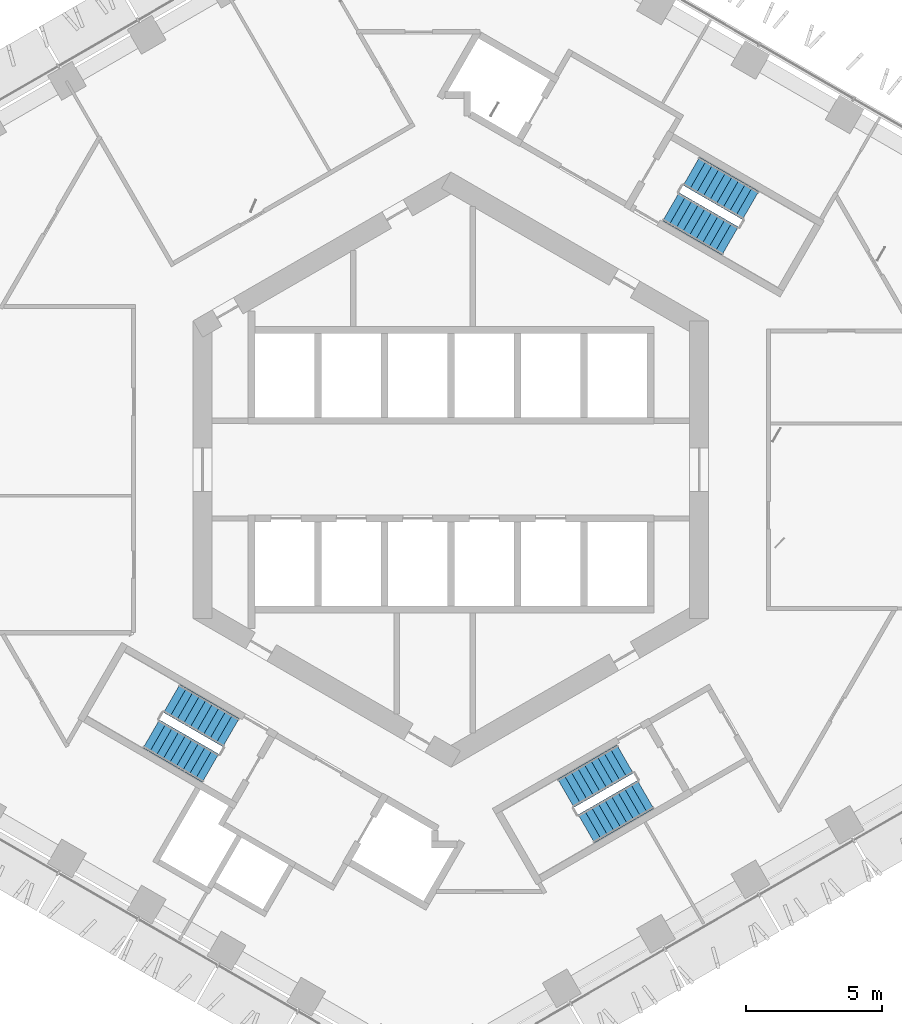
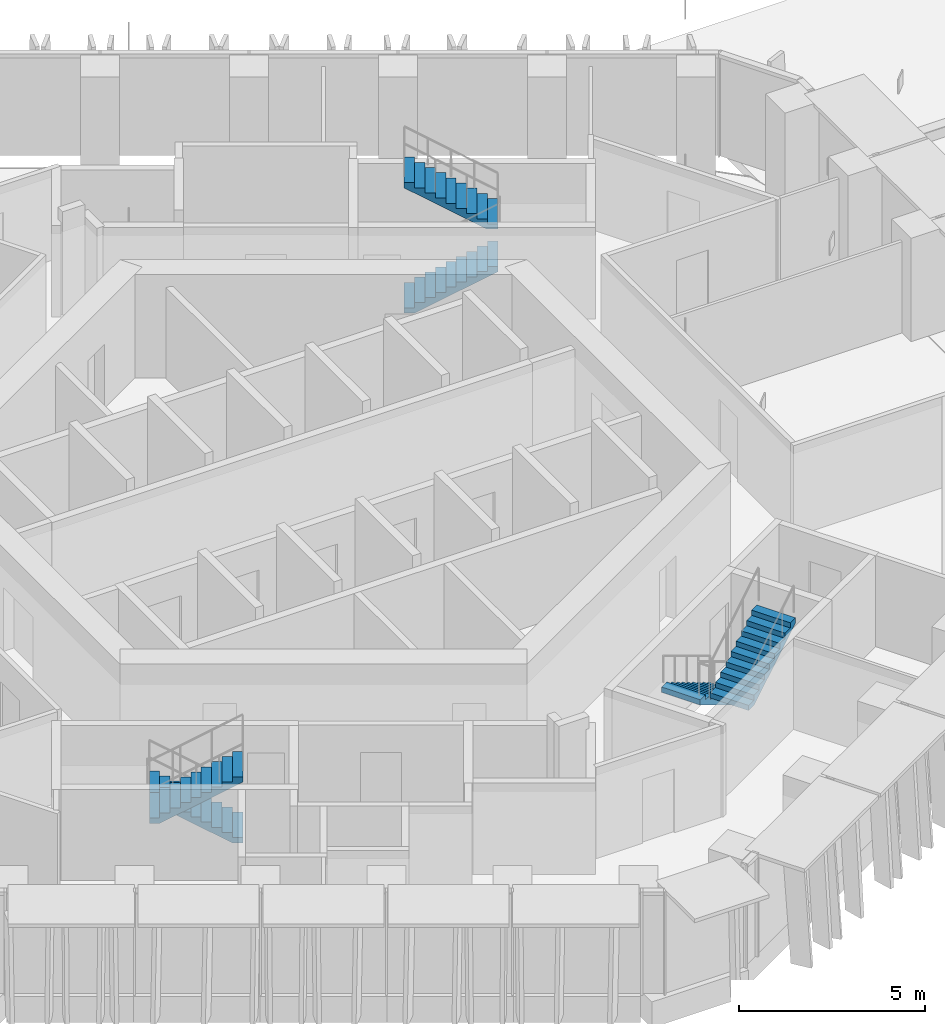
# One storey, part 21 of 25: 6 stair flights, 3 elements without a shape of their own.
"""IFC4 building model written with IfcOpenShell, lengths in metres."""

from ifc_helpers import new_model, si_unit, direction, frame, origin, place, context, subcontext, project, spatial, triangles, material, type_object, element, aggregate, save


model = new_model("IFC4")

# Units and contexts
model_context = context("Model", 3, precision=1e-05, world=origin(), true_north=direction((0.0, 1.0)))
body_context = subcontext(model_context, "Body", "Model", "MODEL_VIEW")
ifc_project = project(units=[si_unit("LENGTHUNIT", "METRE"), si_unit("AREAUNIT", "SQUARE_METRE"), si_unit("VOLUMEUNIT", "CUBIC_METRE"), si_unit("PLANEANGLEUNIT", "RADIAN"), si_unit("MASSUNIT", "GRAM", prefix="KILO")], contexts=[model_context])

# Site, building, storey
site_placement = place(None, origin())
site = spatial("IfcSite", under=ifc_project, at=site_placement, CompositionType="ELEMENT")
building_placement = place(site_placement, origin())
building = spatial("IfcBuilding", under=site, at=building_placement, Name="Ayvan Gate Tower", CompositionType="ELEMENT")
storey_placement = place(building_placement, frame((0.0, 0.0, 132.5)))
storey = spatial("IfcBuildingStorey", under=building, at=storey_placement, Name="L35", CompositionType="ELEMENT", Elevation=132.5)

# Stair, stair flights
ifc_material = material(Name="Concrete C40/50", Category="concrete")
stair_type = type_object("IfcStairType", Name="ST-EXIT", PredefinedType="HALF_TURN_STAIR", material=ifc_material)
stair_1_placement = place(storey_placement, origin())
stair_1 = element("IfcStair", 1, at=stair_1_placement, inside=storey, type_object=stair_type, Name="L35 Exit Stair S1", PredefinedType="HALF_TURN_STAIR")
stair_flight_type = type_object("IfcStairFlightType", Name="SFL-EXIT", PredefinedType="STRAIGHT", material=ifc_material)
stair_flight_1_placement = place(storey_placement, frame((8.106201171875, 9.690185546875, 0.0), z_axis=(0.0, 0.0, 1.0), x_axis=(0.866025403784, -0.5, 0.0)))
stair_flight_1 = element("IfcStairFlight", 2, at=stair_flight_1_placement, type_object=stair_flight_type, Name="STS1 flight 1", NumberOfRisers=10, NumberOfTreads=9, PredefinedType="STRAIGHT", RiserHeight=0.17, TreadLength=0.28, context=body_context, shape_type="Tessellation", body=[
    triangles([(0.288841, -0.599976, 0.0), (2.5205, -0.599976, 1.354936), (2.5205, -0.599976, 1.53), (2.24, -0.599976, 1.53), (2.24, -0.599976, 1.36), (1.96, -0.599976, 1.36), (1.96, -0.599976, 1.19), (1.68, -0.599976, 1.19), (1.68, -0.599976, 1.02), (1.4, -0.599976, 1.02), (1.4, -0.599976, 0.85), (1.12, -0.599976, 0.85), (1.12, -0.599976, 0.68), (0.84, -0.599976, 0.68), (0.84, -0.599976, 0.51), (0.56, -0.599976, 0.51), (0.56, -0.599976, 0.34), (0.28, -0.599976, 0.34), (0.28, -0.599976, 0.17), (-0.0005, -0.599976, 0.17), (-0.0005, -0.599976, 0.0), (0.288841, 0.0, 0.0), (2.5205, 0.0, 1.354936), (2.5205, 0.0, 1.53), (2.24, 0.0, 1.53), (2.24, 0.0, 1.36), (1.96, 0.0, 1.36), (1.96, 0.0, 1.19), (1.68, 0.0, 1.19), (1.68, 0.0, 1.02), (1.4, 0.0, 1.02), (1.4, 0.0, 0.85), (1.12, 0.0, 0.85), (1.12, 0.0, 0.68), (0.84, 0.0, 0.68), (0.84, 0.0, 0.51), (0.56, 0.0, 0.51), (0.56, 0.0, 0.34), (0.28, 0.0, 0.34), (0.28, 0.0, 0.17), (-0.0005, 0.0, 0.17), (-0.0005, 0.0, 0.0), (0.288841, 0.599976, 0.0), (2.5205, 0.599976, 1.354936), (2.5205, 0.599976, 1.53), (2.24, 0.599976, 1.53), (2.24, 0.599976, 1.36), (1.96, 0.599976, 1.36), (1.96, 0.599976, 1.19), (1.68, 0.599976, 1.19), (1.68, 0.599976, 1.02), (1.4, 0.599976, 1.02), (1.4, 0.599976, 0.85), (1.12, 0.599976, 0.85), (1.12, 0.599976, 0.68), (0.84, 0.599976, 0.68), (0.84, 0.599976, 0.51), (0.56, 0.599976, 0.51), (0.56, 0.599976, 0.34), (0.28, 0.599976, 0.34), (0.28, 0.599976, 0.17), (-0.0005, 0.599976, 0.17), (-0.0005, 0.599976, 0.0)], [[21, 1, 2], [63, 44, 43], [2, 3, 4], [44, 46, 45], [2, 4, 5], [44, 47, 46], [2, 5, 6], [44, 48, 47], [2, 6, 7], [44, 49, 48], [7, 8, 9], [49, 51, 50], [2, 7, 9], [44, 51, 49], [9, 10, 11], [51, 53, 52], [2, 9, 11], [44, 53, 51], [11, 12, 13], [53, 55, 54], [2, 11, 13], [44, 55, 53], [13, 14, 15], [55, 57, 56], [2, 13, 15], [44, 57, 55], [15, 16, 17], [57, 59, 58], [2, 15, 17], [44, 59, 57], [17, 18, 19], [59, 61, 60], [2, 17, 19], [44, 61, 59], [21, 2, 19], [63, 61, 44], [19, 20, 21], [61, 63, 62], [1, 22, 23], [1, 23, 2], [43, 23, 22], [43, 44, 23], [2, 23, 24], [2, 24, 3], [44, 24, 23], [44, 45, 24], [3, 24, 25], [3, 25, 4], [45, 25, 24], [45, 46, 25], [4, 25, 26], [4, 26, 5], [46, 26, 25], [46, 47, 26], [5, 26, 27], [5, 27, 6], [47, 27, 26], [47, 48, 27], [6, 27, 28], [6, 28, 7], [48, 28, 27], [48, 49, 28], [7, 28, 29], [7, 29, 8], [49, 29, 28], [49, 50, 29], [8, 29, 30], [8, 30, 9], [50, 30, 29], [50, 51, 30], [9, 30, 31], [9, 31, 10], [51, 31, 30], [51, 52, 31], [10, 31, 32], [10, 32, 11], [52, 32, 31], [52, 53, 32], [11, 32, 33], [11, 33, 12], [53, 33, 32], [53, 54, 33], [12, 33, 34], [12, 34, 13], [54, 34, 33], [54, 55, 34], [13, 34, 35], [13, 35, 14], [55, 35, 34], [55, 56, 35], [14, 35, 36], [14, 36, 15], [56, 36, 35], [56, 57, 36], [15, 36, 37], [15, 37, 16], [57, 37, 36], [57, 58, 37], [16, 37, 38], [16, 38, 17], [58, 38, 37], [58, 59, 38], [17, 38, 39], [17, 39, 18], [59, 39, 38], [59, 60, 39], [18, 39, 40], [18, 40, 19], [60, 40, 39], [60, 61, 40], [19, 40, 41], [19, 41, 20], [61, 41, 40], [61, 62, 41], [20, 41, 42], [20, 42, 21], [62, 42, 41], [62, 63, 42], [21, 42, 22], [21, 22, 1], [63, 22, 42], [63, 43, 22]], closed=True),
])
stair_flight_2_placement = place(storey_placement, frame((11.04345703125, 9.73779296875, 1.699951171875), z_axis=(0.0, 0.0, 1.0), x_axis=(-0.866025403784, 0.5, 0.0)))
stair_flight_2 = element("IfcStairFlight", 3, at=stair_flight_2_placement, type_object=stair_flight_type, Name="STS1 flight 2", NumberOfRisers=10, NumberOfTreads=9, PredefinedType="STRAIGHT", RiserHeight=0.17, TreadLength=0.28, context=body_context, shape_type="Tessellation", body=[
    triangles([(0.288841, -0.599976, 0.0), (2.5205, -0.599976, 1.354936), (2.5205, -0.599976, 1.53), (2.24, -0.599976, 1.53), (2.24, -0.599976, 1.36), (1.96, -0.599976, 1.36), (1.96, -0.599976, 1.19), (1.68, -0.599976, 1.19), (1.68, -0.599976, 1.02), (1.4, -0.599976, 1.02), (1.4, -0.599976, 0.85), (1.12, -0.599976, 0.85), (1.12, -0.599976, 0.68), (0.84, -0.599976, 0.68), (0.84, -0.599976, 0.51), (0.56, -0.599976, 0.51), (0.56, -0.599976, 0.34), (0.28, -0.599976, 0.34), (0.28, -0.599976, 0.17), (-0.0005, -0.599976, 0.17), (-0.0005, -0.599976, 0.0), (0.288841, 0.0, 0.0), (2.5205, 0.0, 1.354936), (2.5205, 0.0, 1.53), (2.24, 0.0, 1.53), (2.24, 0.0, 1.36), (1.96, 0.0, 1.36), (1.96, 0.0, 1.19), (1.68, 0.0, 1.19), (1.68, 0.0, 1.02), (1.4, 0.0, 1.02), (1.4, 0.0, 0.85), (1.12, 0.0, 0.85), (1.12, 0.0, 0.68), (0.84, 0.0, 0.68), (0.84, 0.0, 0.51), (0.56, 0.0, 0.51), (0.56, 0.0, 0.34), (0.28, 0.0, 0.34), (0.28, 0.0, 0.17), (-0.0005, 0.0, 0.17), (-0.0005, 0.0, 0.0), (0.288841, 0.599976, 0.0), (2.5205, 0.599976, 1.354936), (2.5205, 0.599976, 1.53), (2.24, 0.599976, 1.53), (2.24, 0.599976, 1.36), (1.96, 0.599976, 1.36), (1.96, 0.599976, 1.19), (1.68, 0.599976, 1.19), (1.68, 0.599976, 1.02), (1.4, 0.599976, 1.02), (1.4, 0.599976, 0.85), (1.12, 0.599976, 0.85), (1.12, 0.599976, 0.68), (0.84, 0.599976, 0.68), (0.84, 0.599976, 0.51), (0.56, 0.599976, 0.51), (0.56, 0.599976, 0.34), (0.28, 0.599976, 0.34), (0.28, 0.599976, 0.17), (-0.0005, 0.599976, 0.17), (-0.0005, 0.599976, 0.0)], [[21, 1, 2], [63, 44, 43], [2, 3, 4], [44, 46, 45], [2, 4, 5], [44, 47, 46], [2, 5, 6], [44, 48, 47], [2, 6, 7], [44, 49, 48], [7, 8, 9], [49, 51, 50], [2, 7, 9], [44, 51, 49], [9, 10, 11], [51, 53, 52], [2, 9, 11], [44, 53, 51], [11, 12, 13], [53, 55, 54], [2, 11, 13], [44, 55, 53], [13, 14, 15], [55, 57, 56], [2, 13, 15], [44, 57, 55], [15, 16, 17], [57, 59, 58], [2, 15, 17], [44, 59, 57], [17, 18, 19], [59, 61, 60], [2, 17, 19], [44, 61, 59], [21, 2, 19], [63, 61, 44], [19, 20, 21], [61, 63, 62], [1, 22, 23], [1, 23, 2], [43, 23, 22], [43, 44, 23], [2, 23, 24], [2, 24, 3], [44, 24, 23], [44, 45, 24], [3, 24, 25], [3, 25, 4], [45, 25, 24], [45, 46, 25], [4, 25, 26], [4, 26, 5], [46, 26, 25], [46, 47, 26], [5, 26, 27], [5, 27, 6], [47, 27, 26], [47, 48, 27], [6, 27, 28], [6, 28, 7], [48, 28, 27], [48, 49, 28], [7, 28, 29], [7, 29, 8], [49, 29, 28], [49, 50, 29], [8, 29, 30], [8, 30, 9], [50, 30, 29], [50, 51, 30], [9, 30, 31], [9, 31, 10], [51, 31, 30], [51, 52, 31], [10, 31, 32], [10, 32, 11], [52, 32, 31], [52, 53, 32], [11, 32, 33], [11, 33, 12], [53, 33, 32], [53, 54, 33], [12, 33, 34], [12, 34, 13], [54, 34, 33], [54, 55, 34], [13, 34, 35], [13, 35, 14], [55, 35, 34], [55, 56, 35], [14, 35, 36], [14, 36, 15], [56, 36, 35], [56, 57, 36], [15, 36, 37], [15, 37, 16], [57, 37, 36], [57, 58, 37], [16, 37, 38], [16, 38, 17], [58, 38, 37], [58, 59, 38], [17, 38, 39], [17, 39, 18], [59, 39, 38], [59, 60, 39], [18, 39, 40], [18, 40, 19], [60, 40, 39], [60, 61, 40], [19, 40, 41], [19, 41, 20], [61, 41, 40], [61, 62, 41], [20, 41, 42], [20, 42, 21], [62, 42, 41], [62, 63, 42], [21, 42, 22], [21, 22, 1], [63, 22, 42], [63, 43, 22]], closed=True),
])
aggregate(stair_1, [stair_flight_1, stair_flight_2])

stair_2_placement = place(storey_placement, origin())
stair_2 = element("IfcStair", 4, at=stair_2_placement, inside=storey, type_object=stair_type, Name="L35 Exit Stair S2", PredefinedType="HALF_TURN_STAIR")
stair_flight_3_placement = place(storey_placement, frame((-8.106201171875, -9.690185546875, 0.0), z_axis=(0.0, 0.0, 1.0), x_axis=(-0.866025403784, 0.5, 0.0)))
stair_flight_3 = element("IfcStairFlight", 5, at=stair_flight_3_placement, type_object=stair_flight_type, Name="STS2 flight 1", NumberOfRisers=10, NumberOfTreads=9, PredefinedType="STRAIGHT", RiserHeight=0.17, TreadLength=0.28, context=body_context, shape_type="Tessellation", body=[
    triangles([(0.288841, -0.599976, 0.0), (2.5205, -0.599976, 1.354936), (2.5205, -0.599976, 1.53), (2.24, -0.599976, 1.53), (2.24, -0.599976, 1.36), (1.96, -0.599976, 1.36), (1.96, -0.599976, 1.19), (1.68, -0.599976, 1.19), (1.68, -0.599976, 1.02), (1.4, -0.599976, 1.02), (1.4, -0.599976, 0.85), (1.12, -0.599976, 0.85), (1.12, -0.599976, 0.68), (0.84, -0.599976, 0.68), (0.84, -0.599976, 0.51), (0.56, -0.599976, 0.51), (0.56, -0.599976, 0.34), (0.28, -0.599976, 0.34), (0.28, -0.599976, 0.17), (-0.0005, -0.599976, 0.17), (-0.0005, -0.599976, 0.0), (0.288841, 0.0, 0.0), (2.5205, 0.0, 1.354936), (2.5205, 0.0, 1.53), (2.24, 0.0, 1.53), (2.24, 0.0, 1.36), (1.96, 0.0, 1.36), (1.96, 0.0, 1.19), (1.68, 0.0, 1.19), (1.68, 0.0, 1.02), (1.4, 0.0, 1.02), (1.4, 0.0, 0.85), (1.12, 0.0, 0.85), (1.12, 0.0, 0.68), (0.84, 0.0, 0.68), (0.84, 0.0, 0.51), (0.56, 0.0, 0.51), (0.56, 0.0, 0.34), (0.28, 0.0, 0.34), (0.28, 0.0, 0.17), (-0.0005, 0.0, 0.17), (-0.0005, 0.0, 0.0), (0.288841, 0.599976, 0.0), (2.5205, 0.599976, 1.354936), (2.5205, 0.599976, 1.53), (2.24, 0.599976, 1.53), (2.24, 0.599976, 1.36), (1.96, 0.599976, 1.36), (1.96, 0.599976, 1.19), (1.68, 0.599976, 1.19), (1.68, 0.599976, 1.02), (1.4, 0.599976, 1.02), (1.4, 0.599976, 0.85), (1.12, 0.599976, 0.85), (1.12, 0.599976, 0.68), (0.84, 0.599976, 0.68), (0.84, 0.599976, 0.51), (0.56, 0.599976, 0.51), (0.56, 0.599976, 0.34), (0.28, 0.599976, 0.34), (0.28, 0.599976, 0.17), (-0.0005, 0.599976, 0.17), (-0.0005, 0.599976, 0.0)], [[21, 1, 2], [63, 44, 43], [2, 3, 4], [44, 46, 45], [2, 4, 5], [44, 47, 46], [2, 5, 6], [44, 48, 47], [2, 6, 7], [44, 49, 48], [7, 8, 9], [49, 51, 50], [2, 7, 9], [44, 51, 49], [9, 10, 11], [51, 53, 52], [2, 9, 11], [44, 53, 51], [11, 12, 13], [53, 55, 54], [2, 11, 13], [44, 55, 53], [13, 14, 15], [55, 57, 56], [2, 13, 15], [44, 57, 55], [15, 16, 17], [57, 59, 58], [2, 15, 17], [44, 59, 57], [17, 18, 19], [59, 61, 60], [2, 17, 19], [44, 61, 59], [21, 2, 19], [63, 61, 44], [19, 20, 21], [61, 63, 62], [1, 22, 23], [1, 23, 2], [43, 23, 22], [43, 44, 23], [2, 23, 24], [2, 24, 3], [44, 24, 23], [44, 45, 24], [3, 24, 25], [3, 25, 4], [45, 25, 24], [45, 46, 25], [4, 25, 26], [4, 26, 5], [46, 26, 25], [46, 47, 26], [5, 26, 27], [5, 27, 6], [47, 27, 26], [47, 48, 27], [6, 27, 28], [6, 28, 7], [48, 28, 27], [48, 49, 28], [7, 28, 29], [7, 29, 8], [49, 29, 28], [49, 50, 29], [8, 29, 30], [8, 30, 9], [50, 30, 29], [50, 51, 30], [9, 30, 31], [9, 31, 10], [51, 31, 30], [51, 52, 31], [10, 31, 32], [10, 32, 11], [52, 32, 31], [52, 53, 32], [11, 32, 33], [11, 33, 12], [53, 33, 32], [53, 54, 33], [12, 33, 34], [12, 34, 13], [54, 34, 33], [54, 55, 34], [13, 34, 35], [13, 35, 14], [55, 35, 34], [55, 56, 35], [14, 35, 36], [14, 36, 15], [56, 36, 35], [56, 57, 36], [15, 36, 37], [15, 37, 16], [57, 37, 36], [57, 58, 37], [16, 37, 38], [16, 38, 17], [58, 38, 37], [58, 59, 38], [17, 38, 39], [17, 39, 18], [59, 39, 38], [59, 60, 39], [18, 39, 40], [18, 40, 19], [60, 40, 39], [60, 61, 40], [19, 40, 41], [19, 41, 20], [61, 41, 40], [61, 62, 41], [20, 41, 42], [20, 42, 21], [62, 42, 41], [62, 63, 42], [21, 42, 22], [21, 22, 1], [63, 22, 42], [63, 43, 22]], closed=True),
])
stair_flight_4_placement = place(storey_placement, frame((-11.04345703125, -9.73779296875, 1.699951171875), z_axis=(0.0, 0.0, 1.0), x_axis=(0.866025403784, -0.5, 0.0)))
stair_flight_4 = element("IfcStairFlight", 6, at=stair_flight_4_placement, type_object=stair_flight_type, Name="STS2 flight 2", NumberOfRisers=10, NumberOfTreads=9, PredefinedType="STRAIGHT", RiserHeight=0.17, TreadLength=0.28, context=body_context, shape_type="Tessellation", body=[
    triangles([(0.288841, -0.599976, 0.0), (2.5205, -0.599976, 1.354936), (2.5205, -0.599976, 1.53), (2.24, -0.599976, 1.53), (2.24, -0.599976, 1.36), (1.96, -0.599976, 1.36), (1.96, -0.599976, 1.19), (1.68, -0.599976, 1.19), (1.68, -0.599976, 1.02), (1.4, -0.599976, 1.02), (1.4, -0.599976, 0.85), (1.12, -0.599976, 0.85), (1.12, -0.599976, 0.68), (0.84, -0.599976, 0.68), (0.84, -0.599976, 0.51), (0.56, -0.599976, 0.51), (0.56, -0.599976, 0.34), (0.28, -0.599976, 0.34), (0.28, -0.599976, 0.17), (-0.0005, -0.599976, 0.17), (-0.0005, -0.599976, 0.0), (0.288841, 0.0, 0.0), (2.5205, 0.0, 1.354936), (2.5205, 0.0, 1.53), (2.24, 0.0, 1.53), (2.24, 0.0, 1.36), (1.96, 0.0, 1.36), (1.96, 0.0, 1.19), (1.68, 0.0, 1.19), (1.68, 0.0, 1.02), (1.4, 0.0, 1.02), (1.4, 0.0, 0.85), (1.12, 0.0, 0.85), (1.12, 0.0, 0.68), (0.84, 0.0, 0.68), (0.84, 0.0, 0.51), (0.56, 0.0, 0.51), (0.56, 0.0, 0.34), (0.28, 0.0, 0.34), (0.28, 0.0, 0.17), (-0.0005, 0.0, 0.17), (-0.0005, 0.0, 0.0), (0.288841, 0.599976, 0.0), (2.5205, 0.599976, 1.354936), (2.5205, 0.599976, 1.53), (2.24, 0.599976, 1.53), (2.24, 0.599976, 1.36), (1.96, 0.599976, 1.36), (1.96, 0.599976, 1.19), (1.68, 0.599976, 1.19), (1.68, 0.599976, 1.02), (1.4, 0.599976, 1.02), (1.4, 0.599976, 0.85), (1.12, 0.599976, 0.85), (1.12, 0.599976, 0.68), (0.84, 0.599976, 0.68), (0.84, 0.599976, 0.51), (0.56, 0.599976, 0.51), (0.56, 0.599976, 0.34), (0.28, 0.599976, 0.34), (0.28, 0.599976, 0.17), (-0.0005, 0.599976, 0.17), (-0.0005, 0.599976, 0.0)], [[21, 1, 2], [63, 44, 43], [2, 3, 4], [44, 46, 45], [2, 4, 5], [44, 47, 46], [2, 5, 6], [44, 48, 47], [2, 6, 7], [44, 49, 48], [7, 8, 9], [49, 51, 50], [2, 7, 9], [44, 51, 49], [9, 10, 11], [51, 53, 52], [2, 9, 11], [44, 53, 51], [11, 12, 13], [53, 55, 54], [2, 11, 13], [44, 55, 53], [13, 14, 15], [55, 57, 56], [2, 13, 15], [44, 57, 55], [15, 16, 17], [57, 59, 58], [2, 15, 17], [44, 59, 57], [17, 18, 19], [59, 61, 60], [2, 17, 19], [44, 61, 59], [21, 2, 19], [63, 61, 44], [19, 20, 21], [61, 63, 62], [1, 22, 23], [1, 23, 2], [43, 23, 22], [43, 44, 23], [2, 23, 24], [2, 24, 3], [44, 24, 23], [44, 45, 24], [3, 24, 25], [3, 25, 4], [45, 25, 24], [45, 46, 25], [4, 25, 26], [4, 26, 5], [46, 26, 25], [46, 47, 26], [5, 26, 27], [5, 27, 6], [47, 27, 26], [47, 48, 27], [6, 27, 28], [6, 28, 7], [48, 28, 27], [48, 49, 28], [7, 28, 29], [7, 29, 8], [49, 29, 28], [49, 50, 29], [8, 29, 30], [8, 30, 9], [50, 30, 29], [50, 51, 30], [9, 30, 31], [9, 31, 10], [51, 31, 30], [51, 52, 31], [10, 31, 32], [10, 32, 11], [52, 32, 31], [52, 53, 32], [11, 32, 33], [11, 33, 12], [53, 33, 32], [53, 54, 33], [12, 33, 34], [12, 34, 13], [54, 34, 33], [54, 55, 34], [13, 34, 35], [13, 35, 14], [55, 35, 34], [55, 56, 35], [14, 35, 36], [14, 36, 15], [56, 36, 35], [56, 57, 36], [15, 36, 37], [15, 37, 16], [57, 37, 36], [57, 58, 37], [16, 37, 38], [16, 38, 17], [58, 38, 37], [58, 59, 38], [17, 38, 39], [17, 39, 18], [59, 39, 38], [59, 60, 39], [18, 39, 40], [18, 40, 19], [60, 40, 39], [60, 61, 40], [19, 40, 41], [19, 41, 20], [61, 41, 40], [61, 62, 41], [20, 41, 42], [20, 42, 21], [62, 42, 41], [62, 63, 42], [21, 42, 22], [21, 22, 1], [63, 22, 42], [63, 43, 22]], closed=True),
])
aggregate(stair_2, [stair_flight_3, stair_flight_4])

stair_3_placement = place(storey_placement, origin())
stair_3 = element("IfcStair", 7, at=stair_3_placement, inside=storey, type_object=stair_type, Name="L35 Exit Stair S3", PredefinedType="HALF_TURN_STAIR")
stair_flight_5_placement = place(storey_placement, frame((6.417236328125, -10.665283203125, 0.0), z_axis=(0.0, 0.0, 1.0), x_axis=(-0.866025403784, -0.5, 0.0)))
stair_flight_5 = element("IfcStairFlight", 8, at=stair_flight_5_placement, type_object=stair_flight_type, Name="STS3 flight 1", NumberOfRisers=10, NumberOfTreads=9, PredefinedType="STRAIGHT", RiserHeight=0.17, TreadLength=0.28, context=body_context, shape_type="Tessellation", body=[
    triangles([(0.288841, -0.599976, 0.0), (2.5205, -0.599976, 1.354936), (2.5205, -0.599976, 1.53), (2.24, -0.599976, 1.53), (2.24, -0.599976, 1.36), (1.96, -0.599976, 1.36), (1.96, -0.599976, 1.19), (1.68, -0.599976, 1.19), (1.68, -0.599976, 1.02), (1.4, -0.599976, 1.02), (1.4, -0.599976, 0.85), (1.12, -0.599976, 0.85), (1.12, -0.599976, 0.68), (0.84, -0.599976, 0.68), (0.84, -0.599976, 0.51), (0.56, -0.599976, 0.51), (0.56, -0.599976, 0.34), (0.28, -0.599976, 0.34), (0.28, -0.599976, 0.17), (-0.0005, -0.599976, 0.17), (-0.0005, -0.599976, 0.0), (0.288841, 0.0, 0.0), (2.5205, 0.0, 1.354936), (2.5205, 0.0, 1.53), (2.24, 0.0, 1.53), (2.24, 0.0, 1.36), (1.96, 0.0, 1.36), (1.96, 0.0, 1.19), (1.68, 0.0, 1.19), (1.68, 0.0, 1.02), (1.4, 0.0, 1.02), (1.4, 0.0, 0.85), (1.12, 0.0, 0.85), (1.12, 0.0, 0.68), (0.84, 0.0, 0.68), (0.84, 0.0, 0.51), (0.56, 0.0, 0.51), (0.56, 0.0, 0.34), (0.28, 0.0, 0.34), (0.28, 0.0, 0.17), (-0.0005, 0.0, 0.17), (-0.0005, 0.0, 0.0), (0.288841, 0.599976, 0.0), (2.5205, 0.599976, 1.354936), (2.5205, 0.599976, 1.53), (2.24, 0.599976, 1.53), (2.24, 0.599976, 1.36), (1.96, 0.599976, 1.36), (1.96, 0.599976, 1.19), (1.68, 0.599976, 1.19), (1.68, 0.599976, 1.02), (1.4, 0.599976, 1.02), (1.4, 0.599976, 0.85), (1.12, 0.599976, 0.85), (1.12, 0.599976, 0.68), (0.84, 0.599976, 0.68), (0.84, 0.599976, 0.51), (0.56, 0.599976, 0.51), (0.56, 0.599976, 0.34), (0.28, 0.599976, 0.34), (0.28, 0.599976, 0.17), (-0.0005, 0.599976, 0.17), (-0.0005, 0.599976, 0.0)], [[21, 1, 2], [63, 44, 43], [2, 3, 4], [44, 46, 45], [2, 4, 5], [44, 47, 46], [2, 5, 6], [44, 48, 47], [2, 6, 7], [44, 49, 48], [7, 8, 9], [49, 51, 50], [2, 7, 9], [44, 51, 49], [9, 10, 11], [51, 53, 52], [2, 9, 11], [44, 53, 51], [11, 12, 13], [53, 55, 54], [2, 11, 13], [44, 55, 53], [13, 14, 15], [55, 57, 56], [2, 13, 15], [44, 57, 55], [15, 16, 17], [57, 59, 58], [2, 15, 17], [44, 59, 57], [17, 18, 19], [59, 61, 60], [2, 17, 19], [44, 61, 59], [21, 2, 19], [63, 61, 44], [19, 20, 21], [61, 63, 62], [1, 22, 23], [1, 23, 2], [43, 23, 22], [43, 44, 23], [2, 23, 24], [2, 24, 3], [44, 24, 23], [44, 45, 24], [3, 24, 25], [3, 25, 4], [45, 25, 24], [45, 46, 25], [4, 25, 26], [4, 26, 5], [46, 26, 25], [46, 47, 26], [5, 26, 27], [5, 27, 6], [47, 27, 26], [47, 48, 27], [6, 27, 28], [6, 28, 7], [48, 28, 27], [48, 49, 28], [7, 28, 29], [7, 29, 8], [49, 29, 28], [49, 50, 29], [8, 29, 30], [8, 30, 9], [50, 30, 29], [50, 51, 30], [9, 30, 31], [9, 31, 10], [51, 31, 30], [51, 52, 31], [10, 31, 32], [10, 32, 11], [52, 32, 31], [52, 53, 32], [11, 32, 33], [11, 33, 12], [53, 33, 32], [53, 54, 33], [12, 33, 34], [12, 34, 13], [54, 34, 33], [54, 55, 34], [13, 34, 35], [13, 35, 14], [55, 35, 34], [55, 56, 35], [14, 35, 36], [14, 36, 15], [56, 36, 35], [56, 57, 36], [15, 36, 37], [15, 37, 16], [57, 37, 36], [57, 58, 37], [16, 37, 38], [16, 38, 17], [58, 38, 37], [58, 59, 38], [17, 38, 39], [17, 39, 18], [59, 39, 38], [59, 60, 39], [18, 39, 40], [18, 40, 19], [60, 40, 39], [60, 61, 40], [19, 40, 41], [19, 41, 20], [61, 41, 40], [61, 62, 41], [20, 41, 42], [20, 42, 21], [62, 42, 41], [62, 63, 42], [21, 42, 22], [21, 22, 1], [63, 22, 42], [63, 43, 22]], closed=True),
])
stair_flight_6_placement = place(storey_placement, frame((4.989990234375, -13.23291015625, 1.699951171875), z_axis=(0.0, 0.0, 1.0), x_axis=(0.866025403784, 0.5, 0.0)))
stair_flight_6 = element("IfcStairFlight", 9, at=stair_flight_6_placement, type_object=stair_flight_type, Name="STS3 flight 2", NumberOfRisers=10, NumberOfTreads=9, PredefinedType="STRAIGHT", RiserHeight=0.17, TreadLength=0.28, context=body_context, shape_type="Tessellation", body=[
    triangles([(0.288841, -0.599976, 0.0), (2.5205, -0.599976, 1.354936), (2.5205, -0.599976, 1.53), (2.24, -0.599976, 1.53), (2.24, -0.599976, 1.36), (1.96, -0.599976, 1.36), (1.96, -0.599976, 1.19), (1.68, -0.599976, 1.19), (1.68, -0.599976, 1.02), (1.4, -0.599976, 1.02), (1.4, -0.599976, 0.85), (1.12, -0.599976, 0.85), (1.12, -0.599976, 0.68), (0.84, -0.599976, 0.68), (0.84, -0.599976, 0.51), (0.56, -0.599976, 0.51), (0.56, -0.599976, 0.34), (0.28, -0.599976, 0.34), (0.28, -0.599976, 0.17), (-0.0005, -0.599976, 0.17), (-0.0005, -0.599976, 0.0), (0.288841, 0.0, 0.0), (2.5205, 0.0, 1.354936), (2.5205, 0.0, 1.53), (2.24, 0.0, 1.53), (2.24, 0.0, 1.36), (1.96, 0.0, 1.36), (1.96, 0.0, 1.19), (1.68, 0.0, 1.19), (1.68, 0.0, 1.02), (1.4, 0.0, 1.02), (1.4, 0.0, 0.85), (1.12, 0.0, 0.85), (1.12, 0.0, 0.68), (0.84, 0.0, 0.68), (0.84, 0.0, 0.51), (0.56, 0.0, 0.51), (0.56, 0.0, 0.34), (0.28, 0.0, 0.34), (0.28, 0.0, 0.17), (-0.0005, 0.0, 0.17), (-0.0005, 0.0, 0.0), (0.288841, 0.599976, 0.0), (2.5205, 0.599976, 1.354936), (2.5205, 0.599976, 1.53), (2.24, 0.599976, 1.53), (2.24, 0.599976, 1.36), (1.96, 0.599976, 1.36), (1.96, 0.599976, 1.19), (1.68, 0.599976, 1.19), (1.68, 0.599976, 1.02), (1.4, 0.599976, 1.02), (1.4, 0.599976, 0.85), (1.12, 0.599976, 0.85), (1.12, 0.599976, 0.68), (0.84, 0.599976, 0.68), (0.84, 0.599976, 0.51), (0.56, 0.599976, 0.51), (0.56, 0.599976, 0.34), (0.28, 0.599976, 0.34), (0.28, 0.599976, 0.17), (-0.0005, 0.599976, 0.17), (-0.0005, 0.599976, 0.0)], [[21, 1, 2], [63, 44, 43], [2, 3, 4], [44, 46, 45], [2, 4, 5], [44, 47, 46], [2, 5, 6], [44, 48, 47], [2, 6, 7], [44, 49, 48], [7, 8, 9], [49, 51, 50], [2, 7, 9], [44, 51, 49], [9, 10, 11], [51, 53, 52], [2, 9, 11], [44, 53, 51], [11, 12, 13], [53, 55, 54], [2, 11, 13], [44, 55, 53], [13, 14, 15], [55, 57, 56], [2, 13, 15], [44, 57, 55], [15, 16, 17], [57, 59, 58], [2, 15, 17], [44, 59, 57], [17, 18, 19], [59, 61, 60], [2, 17, 19], [44, 61, 59], [21, 2, 19], [63, 61, 44], [19, 20, 21], [61, 63, 62], [1, 22, 23], [1, 23, 2], [43, 23, 22], [43, 44, 23], [2, 23, 24], [2, 24, 3], [44, 24, 23], [44, 45, 24], [3, 24, 25], [3, 25, 4], [45, 25, 24], [45, 46, 25], [4, 25, 26], [4, 26, 5], [46, 26, 25], [46, 47, 26], [5, 26, 27], [5, 27, 6], [47, 27, 26], [47, 48, 27], [6, 27, 28], [6, 28, 7], [48, 28, 27], [48, 49, 28], [7, 28, 29], [7, 29, 8], [49, 29, 28], [49, 50, 29], [8, 29, 30], [8, 30, 9], [50, 30, 29], [50, 51, 30], [9, 30, 31], [9, 31, 10], [51, 31, 30], [51, 52, 31], [10, 31, 32], [10, 32, 11], [52, 32, 31], [52, 53, 32], [11, 32, 33], [11, 33, 12], [53, 33, 32], [53, 54, 33], [12, 33, 34], [12, 34, 13], [54, 34, 33], [54, 55, 34], [13, 34, 35], [13, 35, 14], [55, 35, 34], [55, 56, 35], [14, 35, 36], [14, 36, 15], [56, 36, 35], [56, 57, 36], [15, 36, 37], [15, 37, 16], [57, 37, 36], [57, 58, 37], [16, 37, 38], [16, 38, 17], [58, 38, 37], [58, 59, 38], [17, 38, 39], [17, 39, 18], [59, 39, 38], [59, 60, 39], [18, 39, 40], [18, 40, 19], [60, 40, 39], [60, 61, 40], [19, 40, 41], [19, 41, 20], [61, 41, 40], [61, 62, 41], [20, 41, 42], [20, 42, 21], [62, 42, 41], [62, 63, 42], [21, 42, 22], [21, 22, 1], [63, 22, 42], [63, 43, 22]], closed=True),
])
aggregate(stair_3, [stair_flight_5, stair_flight_6])

save(model, "model.ifc")
